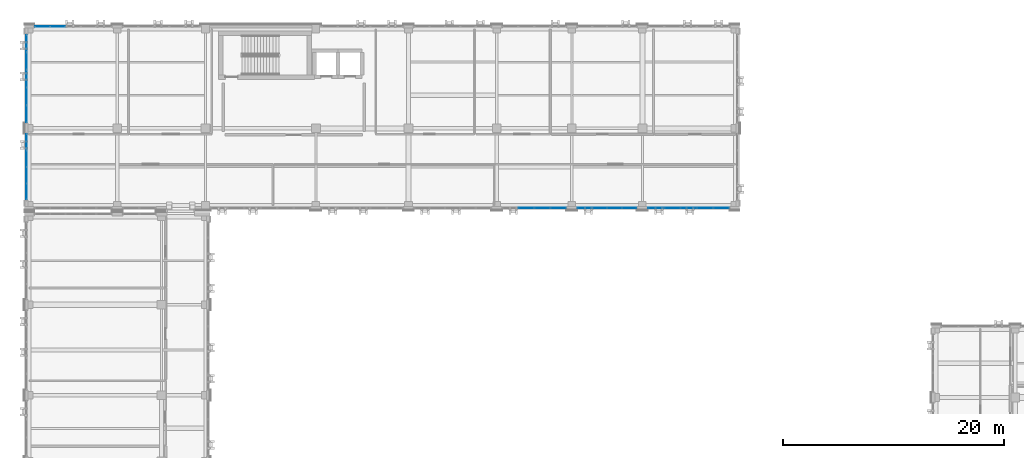
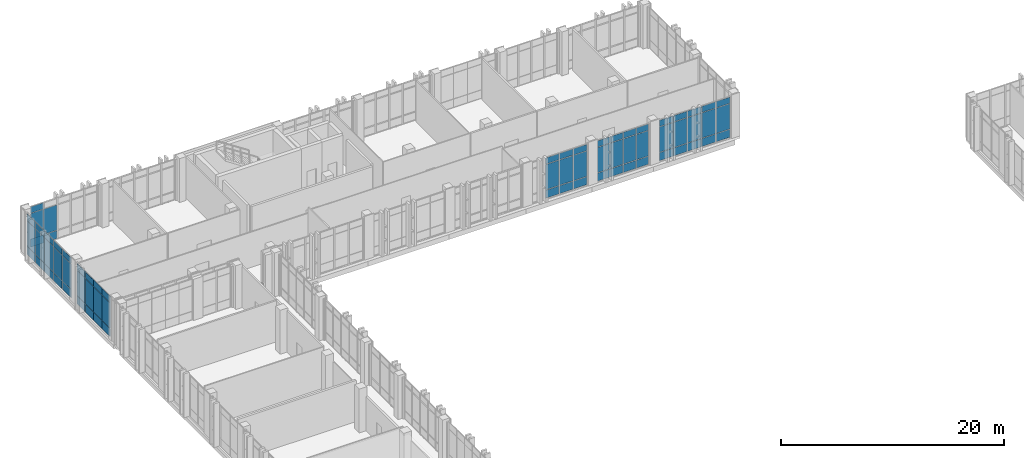
# One storey, part 143 of 189: 68 plates, 6 elements without a shape of their own.
"""IFC4 building model written with IfcOpenShell, lengths in metres."""

from ifc_helpers import new_model, si_unit, direction, frame, origin, origin_2d, place, context, subcontext, project, spatial, rectangle, extrude, material, layer, layer_set, type_object, element, aggregate, save


model = new_model("IFC4")

# Units and contexts
model_context = context("Model", 3, precision=1e-05, world=origin(), true_north=direction((0.0, 1.0)))
body_context = subcontext(model_context, "Body", "Model", "MODEL_VIEW")
ifc_project = project(units=[si_unit("LENGTHUNIT", "METRE"), si_unit("AREAUNIT", "SQUARE_METRE"), si_unit("VOLUMEUNIT", "CUBIC_METRE"), si_unit("PLANEANGLEUNIT", "RADIAN"), si_unit("MASSUNIT", "GRAM", prefix="KILO")], contexts=[model_context])

# Site, building, storey
site_placement = place(None, origin())
site = spatial("IfcSite", under=ifc_project, at=site_placement, CompositionType="ELEMENT")
building_placement = place(site_placement, origin())
building = spatial("IfcBuilding", under=site, at=building_placement, Name="Qalavern Law Courts", CompositionType="ELEMENT")
storey_placement = place(building_placement, frame((0.0, 0.0, 5.39990234375)))
storey = spatial("IfcBuildingStorey", under=building, at=storey_placement, Name="L01", CompositionType="ELEMENT", Elevation=5.39990234375)

# Curtain wall, plates
ifc_material_1 = material(Name="Anodised aluminium and insulated glazing", Category="aluminium")
ifc_layer_1 = layer(ifc_material_1, 0.166015625)
ifc_layer_set_1 = layer_set([ifc_layer_1], Name="Anodised aluminium and insulated glazing")
curtain_wall_type = type_object("IfcCurtainWallType", Name="ENV-CW-LIB", PredefinedType="USERDEFINED", material=ifc_layer_set_1)
curtain_wall_1_placement = place(storey_placement, origin())
curtain_wall_1 = element("IfcCurtainWall", 1, at=curtain_wall_1_placement, inside=storey, type_object=curtain_wall_type, Name="V5 unitised curtain wall L01 south 4", ObjectType="UNITISED CURTAIN WALL", PredefinedType="USERDEFINED")
ifc_material_2 = material(Name="Insulated low-E acoustic glazing", Category="glass")
ifc_layer_2 = layer(ifc_material_2, 0.028076171875)
ifc_layer_set_2 = layer_set([ifc_layer_2], Name="Insulated low-E acoustic glazing")
plate_type_1 = type_object("IfcPlateType", Name="ENV-CWP-28", PredefinedType="CURTAIN_PANEL", material=ifc_layer_set_2)
plate_1_placement = place(storey_placement, frame((47.47509765625, 96.362548828125, 0.048095703125), z_axis=(0.0, 0.0, 1.0), x_axis=(1.0, 0.0, 0.0)))
plate_1 = element("IfcPlate", 2, at=plate_1_placement, type_object=plate_type_1, Name="CW-05 panel 2.1", PredefinedType="CURTAIN_PANEL", context=body_context, shape_type="SweptSolid", body=[
    extrude(rectangle(XDim=1.402099609375, YDim=0.028076171875, at=origin_2d()), origin(), (0.0, 0.0, 1.0), 0.8779296875),
])
plate_2_placement = place(storey_placement, frame((47.47509765625, 96.362548828125, 0.97412109375), z_axis=(0.0, 0.0, 1.0), x_axis=(1.0, 0.0, 0.0)))
plate_2 = element("IfcPlate", 3, at=plate_2_placement, type_object=plate_type_1, Name="CW-05 panel 2.2", PredefinedType="CURTAIN_PANEL", context=body_context, shape_type="SweptSolid", body=[
    extrude(rectangle(XDim=1.402099609375, YDim=0.028076171875, at=origin_2d()), origin(), (0.0, 0.0, 1.0), 2.761962890625),
])
plate_3_placement = place(storey_placement, frame((47.47509765625, 96.362548828125, 3.7841796875), z_axis=(0.0, 0.0, 1.0), x_axis=(1.0, 0.0, 0.0)))
plate_3 = element("IfcPlate", 4, at=plate_3_placement, type_object=plate_type_1, Name="CW-05 panel 2.3", PredefinedType="CURTAIN_PANEL", context=body_context, shape_type="SweptSolid", body=[
    extrude(rectangle(XDim=1.402099609375, YDim=0.028076171875, at=origin_2d()), origin(), (0.0, 0.0, 1.0), 0.677978515625),
])
plate_4_placement = place(storey_placement, frame((48.925048828125, 96.362548828125, 0.048095703125), z_axis=(0.0, 0.0, 1.0), x_axis=(1.0, 0.0, 0.0)))
plate_4 = element("IfcPlate", 5, at=plate_4_placement, type_object=plate_type_1, Name="CW-05 panel 3.1", PredefinedType="CURTAIN_PANEL", context=body_context, shape_type="SweptSolid", body=[
    extrude(rectangle(XDim=1.402099609375, YDim=0.028076171875, at=origin_2d()), origin(), (0.0, 0.0, 1.0), 0.8779296875),
])
plate_5_placement = place(storey_placement, frame((48.925048828125, 96.362548828125, 0.97412109375), z_axis=(0.0, 0.0, 1.0), x_axis=(1.0, 0.0, 0.0)))
plate_5 = element("IfcPlate", 6, at=plate_5_placement, type_object=plate_type_1, Name="CW-05 panel 3.2", PredefinedType="CURTAIN_PANEL", context=body_context, shape_type="SweptSolid", body=[
    extrude(rectangle(XDim=1.402099609375, YDim=0.028076171875, at=origin_2d()), origin(), (0.0, 0.0, 1.0), 2.761962890625),
])
plate_6_placement = place(storey_placement, frame((48.925048828125, 96.362548828125, 3.7841796875), z_axis=(0.0, 0.0, 1.0), x_axis=(1.0, 0.0, 0.0)))
plate_6 = element("IfcPlate", 7, at=plate_6_placement, type_object=plate_type_1, Name="CW-05 panel 3.3", PredefinedType="CURTAIN_PANEL", context=body_context, shape_type="SweptSolid", body=[
    extrude(rectangle(XDim=1.402099609375, YDim=0.028076171875, at=origin_2d()), origin(), (0.0, 0.0, 1.0), 0.677978515625),
])
plate_7_placement = place(storey_placement, frame((50.363037109375, 96.362548828125, 0.048095703125), z_axis=(0.0, 0.0, 1.0), x_axis=(1.0, 0.0, 0.0)))
plate_7 = element("IfcPlate", 8, at=plate_7_placement, type_object=plate_type_1, Name="CW-05 panel 4.1", PredefinedType="CURTAIN_PANEL", context=body_context, shape_type="SweptSolid", body=[
    extrude(rectangle(XDim=1.3779296875, YDim=0.028076171875, at=origin_2d()), origin(), (0.0, 0.0, 1.0), 0.8779296875),
])
plate_8_placement = place(storey_placement, frame((50.363037109375, 96.362548828125, 0.97412109375), z_axis=(0.0, 0.0, 1.0), x_axis=(1.0, 0.0, 0.0)))
plate_8 = element("IfcPlate", 9, at=plate_8_placement, type_object=plate_type_1, Name="CW-05 panel 4.2", PredefinedType="CURTAIN_PANEL", context=body_context, shape_type="SweptSolid", body=[
    extrude(rectangle(XDim=1.3779296875, YDim=0.028076171875, at=origin_2d()), origin(), (0.0, 0.0, 1.0), 2.761962890625),
])
plate_9_placement = place(storey_placement, frame((50.363037109375, 96.362548828125, 3.7841796875), z_axis=(0.0, 0.0, 1.0), x_axis=(1.0, 0.0, 0.0)))
plate_9 = element("IfcPlate", 10, at=plate_9_placement, type_object=plate_type_1, Name="CW-05 panel 4.3", PredefinedType="CURTAIN_PANEL", context=body_context, shape_type="SweptSolid", body=[
    extrude(rectangle(XDim=1.3779296875, YDim=0.028076171875, at=origin_2d()), origin(), (0.0, 0.0, 1.0), 0.677978515625),
])
aggregate(curtain_wall_1, [plate_1, plate_2, plate_3, plate_4, plate_5, plate_6, plate_7, plate_8, plate_9])

curtain_wall_2_placement = place(storey_placement, origin())
curtain_wall_2 = element("IfcCurtainWall", 11, at=curtain_wall_2_placement, inside=storey, type_object=curtain_wall_type, Name="V5 unitised curtain wall L01 south 5", ObjectType="UNITISED CURTAIN WALL", PredefinedType="USERDEFINED")
ifc_layer_3 = layer(ifc_material_2, 0.031982421875)
ifc_layer_set_3 = layer_set([ifc_layer_3], Name="Insulated low-E acoustic glazing")
plate_type_2 = type_object("IfcPlateType", Name="ENV-CWP-32", PredefinedType="CURTAIN_PANEL", material=ifc_layer_set_3)
plate_10_placement = place(storey_placement, frame((52.787109375, 96.362548828125, 0.048095703125), z_axis=(0.0, 0.0, 1.0), x_axis=(1.0, 0.0, 0.0)))
plate_10 = element("IfcPlate", 12, at=plate_10_placement, type_object=plate_type_2, Name="CW-05 panel 1.1", PredefinedType="CURTAIN_PANEL", context=body_context, shape_type="SweptSolid", body=[
    extrude(rectangle(XDim=1.278076171875, YDim=0.031982421875, at=origin_2d()), origin(), (0.0, 0.0, 1.0), 0.8779296875),
])
plate_11_placement = place(storey_placement, frame((52.787109375, 96.362548828125, 0.97412109375), z_axis=(0.0, 0.0, 1.0), x_axis=(1.0, 0.0, 0.0)))
plate_11 = element("IfcPlate", 13, at=plate_11_placement, type_object=plate_type_2, Name="CW-05 panel 1.2", PredefinedType="CURTAIN_PANEL", context=body_context, shape_type="SweptSolid", body=[
    extrude(rectangle(XDim=1.278076171875, YDim=0.031982421875, at=origin_2d()), origin(), (0.0, 0.0, 1.0), 2.761962890625),
])
plate_12_placement = place(storey_placement, frame((52.787109375, 96.362548828125, 3.7841796875), z_axis=(0.0, 0.0, 1.0), x_axis=(1.0, 0.0, 0.0)))
plate_12 = element("IfcPlate", 14, at=plate_12_placement, type_object=plate_type_2, Name="CW-05 panel 1.3", PredefinedType="CURTAIN_PANEL", context=body_context, shape_type="SweptSolid", body=[
    extrude(rectangle(XDim=1.278076171875, YDim=0.031982421875, at=origin_2d()), origin(), (0.0, 0.0, 1.0), 0.677978515625),
])
plate_13_placement = place(storey_placement, frame((54.125, 96.362548828125, 0.048095703125), z_axis=(0.0, 0.0, 1.0), x_axis=(1.0, 0.0, 0.0)))
plate_13 = element("IfcPlate", 15, at=plate_13_placement, type_object=plate_type_2, Name="CW-05 panel 2.1", PredefinedType="CURTAIN_PANEL", context=body_context, shape_type="SweptSolid", body=[
    extrude(rectangle(XDim=1.302001953125, YDim=0.031982421875, at=origin_2d()), origin(), (0.0, 0.0, 1.0), 0.8779296875),
])
plate_14_placement = place(storey_placement, frame((54.125, 96.362548828125, 0.97412109375), z_axis=(0.0, 0.0, 1.0), x_axis=(1.0, 0.0, 0.0)))
plate_14 = element("IfcPlate", 16, at=plate_14_placement, type_object=plate_type_2, Name="CW-05 panel 2.2", PredefinedType="CURTAIN_PANEL", context=body_context, shape_type="SweptSolid", body=[
    extrude(rectangle(XDim=1.302001953125, YDim=0.031982421875, at=origin_2d()), origin(), (0.0, 0.0, 1.0), 2.761962890625),
])
plate_15_placement = place(storey_placement, frame((54.125, 96.362548828125, 3.7841796875), z_axis=(0.0, 0.0, 1.0), x_axis=(1.0, 0.0, 0.0)))
plate_15 = element("IfcPlate", 17, at=plate_15_placement, type_object=plate_type_2, Name="CW-05 panel 2.3", PredefinedType="CURTAIN_PANEL", context=body_context, shape_type="SweptSolid", body=[
    extrude(rectangle(XDim=1.302001953125, YDim=0.031982421875, at=origin_2d()), origin(), (0.0, 0.0, 1.0), 0.677978515625),
])
plate_16_placement = place(storey_placement, frame((55.47509765625, 96.362548828125, 0.048095703125), z_axis=(0.0, 0.0, 1.0), x_axis=(1.0, 0.0, 0.0)))
plate_16 = element("IfcPlate", 18, at=plate_16_placement, type_object=plate_type_2, Name="CW-05 panel 3.1", PredefinedType="CURTAIN_PANEL", context=body_context, shape_type="SweptSolid", body=[
    extrude(rectangle(XDim=1.302001953125, YDim=0.031982421875, at=origin_2d()), origin(), (0.0, 0.0, 1.0), 0.8779296875),
])
plate_17_placement = place(storey_placement, frame((55.47509765625, 96.362548828125, 0.97412109375), z_axis=(0.0, 0.0, 1.0), x_axis=(1.0, 0.0, 0.0)))
plate_17 = element("IfcPlate", 19, at=plate_17_placement, type_object=plate_type_2, Name="CW-05 panel 3.2", PredefinedType="CURTAIN_PANEL", context=body_context, shape_type="SweptSolid", body=[
    extrude(rectangle(XDim=1.302001953125, YDim=0.031982421875, at=origin_2d()), origin(), (0.0, 0.0, 1.0), 2.761962890625),
])
plate_18_placement = place(storey_placement, frame((55.47509765625, 96.362548828125, 3.7841796875), z_axis=(0.0, 0.0, 1.0), x_axis=(1.0, 0.0, 0.0)))
plate_18 = element("IfcPlate", 20, at=plate_18_placement, type_object=plate_type_2, Name="CW-05 panel 3.3", PredefinedType="CURTAIN_PANEL", context=body_context, shape_type="SweptSolid", body=[
    extrude(rectangle(XDim=1.302001953125, YDim=0.031982421875, at=origin_2d()), origin(), (0.0, 0.0, 1.0), 0.677978515625),
])
plate_19_placement = place(storey_placement, frame((56.81298828125, 96.362548828125, 0.048095703125), z_axis=(0.0, 0.0, 1.0), x_axis=(1.0, 0.0, 0.0)))
plate_19 = element("IfcPlate", 21, at=plate_19_placement, type_object=plate_type_2, Name="CW-05 panel 4.1", PredefinedType="CURTAIN_PANEL", context=body_context, shape_type="SweptSolid", body=[
    extrude(rectangle(XDim=1.278076171875, YDim=0.031982421875, at=origin_2d()), origin(), (0.0, 0.0, 1.0), 0.8779296875),
])
plate_20_placement = place(storey_placement, frame((56.81298828125, 96.362548828125, 0.97412109375), z_axis=(0.0, 0.0, 1.0), x_axis=(1.0, 0.0, 0.0)))
plate_20 = element("IfcPlate", 22, at=plate_20_placement, type_object=plate_type_2, Name="CW-05 panel 4.2", PredefinedType="CURTAIN_PANEL", context=body_context, shape_type="SweptSolid", body=[
    extrude(rectangle(XDim=1.278076171875, YDim=0.031982421875, at=origin_2d()), origin(), (0.0, 0.0, 1.0), 2.761962890625),
])
plate_21_placement = place(storey_placement, frame((56.81298828125, 96.362548828125, 3.7841796875), z_axis=(0.0, 0.0, 1.0), x_axis=(1.0, 0.0, 0.0)))
plate_21 = element("IfcPlate", 23, at=plate_21_placement, type_object=plate_type_2, Name="CW-05 panel 4.3", PredefinedType="CURTAIN_PANEL", context=body_context, shape_type="SweptSolid", body=[
    extrude(rectangle(XDim=1.278076171875, YDim=0.031982421875, at=origin_2d()), origin(), (0.0, 0.0, 1.0), 0.677978515625),
])
aggregate(curtain_wall_2, [plate_10, plate_11, plate_12, plate_13, plate_14, plate_15, plate_16, plate_17, plate_18, plate_19, plate_20, plate_21])

curtain_wall_3_placement = place(storey_placement, origin())
curtain_wall_3 = element("IfcCurtainWall", 24, at=curtain_wall_3_placement, inside=storey, type_object=curtain_wall_type, Name="V5 unitised curtain wall L01 south 6", ObjectType="UNITISED CURTAIN WALL", PredefinedType="USERDEFINED")
ifc_layer_4 = layer(ifc_material_2, 0.035888671875)
ifc_layer_set_4 = layer_set([ifc_layer_4], Name="Insulated low-E acoustic glazing")
plate_type_3 = type_object("IfcPlateType", Name="ENV-CWP-36", PredefinedType="CURTAIN_PANEL", material=ifc_layer_set_4)
plate_22_placement = place(storey_placement, frame((59.251953125, 96.362548828125, 0.048095703125), z_axis=(0.0, 0.0, 1.0), x_axis=(1.0, 0.0, 0.0)))
plate_22 = element("IfcPlate", 25, at=plate_22_placement, type_object=plate_type_3, Name="CW-05 panel 1.1", PredefinedType="CURTAIN_PANEL", context=body_context, shape_type="SweptSolid", body=[
    extrude(rectangle(XDim=1.407958984375, YDim=0.035888671875, at=origin_2d()), origin(), (0.0, 0.0, 1.0), 0.8779296875),
])
plate_23_placement = place(storey_placement, frame((59.251953125, 96.362548828125, 0.97412109375), z_axis=(0.0, 0.0, 1.0), x_axis=(1.0, 0.0, 0.0)))
plate_23 = element("IfcPlate", 26, at=plate_23_placement, type_object=plate_type_3, Name="CW-05 panel 1.2", PredefinedType="CURTAIN_PANEL", context=body_context, shape_type="SweptSolid", body=[
    extrude(rectangle(XDim=1.407958984375, YDim=0.035888671875, at=origin_2d()), origin(), (0.0, 0.0, 1.0), 2.761962890625),
])
plate_24_placement = place(storey_placement, frame((59.251953125, 96.362548828125, 3.7841796875), z_axis=(0.0, 0.0, 1.0), x_axis=(1.0, 0.0, 0.0)))
plate_24 = element("IfcPlate", 27, at=plate_24_placement, type_object=plate_type_3, Name="CW-05 panel 1.3", PredefinedType="CURTAIN_PANEL", context=body_context, shape_type="SweptSolid", body=[
    extrude(rectangle(XDim=1.407958984375, YDim=0.035888671875, at=origin_2d()), origin(), (0.0, 0.0, 1.0), 0.677978515625),
])
plate_25_placement = place(storey_placement, frame((60.719970703125, 96.362548828125, 0.048095703125), z_axis=(0.0, 0.0, 1.0), x_axis=(1.0, 0.0, 0.0)))
plate_25 = element("IfcPlate", 28, at=plate_25_placement, type_object=plate_type_3, Name="CW-05 panel 2.1", PredefinedType="CURTAIN_PANEL", context=body_context, shape_type="SweptSolid", body=[
    extrude(rectangle(XDim=1.431884765625, YDim=0.035888671875, at=origin_2d()), origin(), (0.0, 0.0, 1.0), 0.8779296875),
])
plate_26_placement = place(storey_placement, frame((60.719970703125, 96.362548828125, 0.97412109375), z_axis=(0.0, 0.0, 1.0), x_axis=(1.0, 0.0, 0.0)))
plate_26 = element("IfcPlate", 29, at=plate_26_placement, type_object=plate_type_3, Name="CW-05 panel 2.2", PredefinedType="CURTAIN_PANEL", context=body_context, shape_type="SweptSolid", body=[
    extrude(rectangle(XDim=1.431884765625, YDim=0.035888671875, at=origin_2d()), origin(), (0.0, 0.0, 1.0), 2.761962890625),
])
plate_27_placement = place(storey_placement, frame((60.719970703125, 96.362548828125, 3.7841796875), z_axis=(0.0, 0.0, 1.0), x_axis=(1.0, 0.0, 0.0)))
plate_27 = element("IfcPlate", 30, at=plate_27_placement, type_object=plate_type_3, Name="CW-05 panel 2.3", PredefinedType="CURTAIN_PANEL", context=body_context, shape_type="SweptSolid", body=[
    extrude(rectangle(XDim=1.431884765625, YDim=0.035888671875, at=origin_2d()), origin(), (0.0, 0.0, 1.0), 0.677978515625),
])
plate_28_placement = place(storey_placement, frame((62.199951171875, 96.362548828125, 0.048095703125), z_axis=(0.0, 0.0, 1.0), x_axis=(1.0, 0.0, 0.0)))
plate_28 = element("IfcPlate", 31, at=plate_28_placement, type_object=plate_type_3, Name="CW-05 panel 3.1", PredefinedType="CURTAIN_PANEL", context=body_context, shape_type="SweptSolid", body=[
    extrude(rectangle(XDim=1.431884765625, YDim=0.035888671875, at=origin_2d()), origin(), (0.0, 0.0, 1.0), 0.8779296875),
])
plate_29_placement = place(storey_placement, frame((62.199951171875, 96.362548828125, 0.97412109375), z_axis=(0.0, 0.0, 1.0), x_axis=(1.0, 0.0, 0.0)))
plate_29 = element("IfcPlate", 32, at=plate_29_placement, type_object=plate_type_3, Name="CW-05 panel 3.2", PredefinedType="CURTAIN_PANEL", context=body_context, shape_type="SweptSolid", body=[
    extrude(rectangle(XDim=1.431884765625, YDim=0.035888671875, at=origin_2d()), origin(), (0.0, 0.0, 1.0), 2.761962890625),
])
plate_30_placement = place(storey_placement, frame((62.199951171875, 96.362548828125, 3.7841796875), z_axis=(0.0, 0.0, 1.0), x_axis=(1.0, 0.0, 0.0)))
plate_30 = element("IfcPlate", 33, at=plate_30_placement, type_object=plate_type_3, Name="CW-05 panel 3.3", PredefinedType="CURTAIN_PANEL", context=body_context, shape_type="SweptSolid", body=[
    extrude(rectangle(XDim=1.431884765625, YDim=0.035888671875, at=origin_2d()), origin(), (0.0, 0.0, 1.0), 0.677978515625),
])
plate_31_placement = place(storey_placement, frame((63.679931640625, 96.362548828125, 0.048095703125), z_axis=(0.0, 0.0, 1.0), x_axis=(1.0, 0.0, 0.0)))
plate_31 = element("IfcPlate", 34, at=plate_31_placement, type_object=plate_type_3, Name="CW-05 panel 4.1", PredefinedType="CURTAIN_PANEL", context=body_context, shape_type="SweptSolid", body=[
    extrude(rectangle(XDim=1.431884765625, YDim=0.035888671875, at=origin_2d()), origin(), (0.0, 0.0, 1.0), 0.8779296875),
])
plate_32_placement = place(storey_placement, frame((63.679931640625, 96.362548828125, 0.97412109375), z_axis=(0.0, 0.0, 1.0), x_axis=(1.0, 0.0, 0.0)))
plate_32 = element("IfcPlate", 35, at=plate_32_placement, type_object=plate_type_3, Name="CW-05 panel 4.2", PredefinedType="CURTAIN_PANEL", context=body_context, shape_type="SweptSolid", body=[
    extrude(rectangle(XDim=1.431884765625, YDim=0.035888671875, at=origin_2d()), origin(), (0.0, 0.0, 1.0), 2.761962890625),
])
plate_33_placement = place(storey_placement, frame((63.679931640625, 96.362548828125, 3.7841796875), z_axis=(0.0, 0.0, 1.0), x_axis=(1.0, 0.0, 0.0)))
plate_33 = element("IfcPlate", 36, at=plate_33_placement, type_object=plate_type_3, Name="CW-05 panel 4.3", PredefinedType="CURTAIN_PANEL", context=body_context, shape_type="SweptSolid", body=[
    extrude(rectangle(XDim=1.431884765625, YDim=0.035888671875, at=origin_2d()), origin(), (0.0, 0.0, 1.0), 0.677978515625),
])
plate_34_placement = place(storey_placement, frame((65.14794921875, 96.362548828125, 0.048095703125), z_axis=(0.0, 0.0, 1.0), x_axis=(1.0, 0.0, 0.0)))
plate_34 = element("IfcPlate", 37, at=plate_34_placement, type_object=plate_type_3, Name="CW-05 panel 5.1", PredefinedType="CURTAIN_PANEL", context=body_context, shape_type="SweptSolid", body=[
    extrude(rectangle(XDim=1.407958984375, YDim=0.035888671875, at=origin_2d()), origin(), (0.0, 0.0, 1.0), 0.8779296875),
])
plate_35_placement = place(storey_placement, frame((65.14794921875, 96.362548828125, 0.97412109375), z_axis=(0.0, 0.0, 1.0), x_axis=(1.0, 0.0, 0.0)))
plate_35 = element("IfcPlate", 38, at=plate_35_placement, type_object=plate_type_3, Name="CW-05 panel 5.2", PredefinedType="CURTAIN_PANEL", context=body_context, shape_type="SweptSolid", body=[
    extrude(rectangle(XDim=1.407958984375, YDim=0.035888671875, at=origin_2d()), origin(), (0.0, 0.0, 1.0), 2.761962890625),
])
plate_36_placement = place(storey_placement, frame((65.14794921875, 96.362548828125, 3.7841796875), z_axis=(0.0, 0.0, 1.0), x_axis=(1.0, 0.0, 0.0)))
plate_36 = element("IfcPlate", 39, at=plate_36_placement, type_object=plate_type_3, Name="CW-05 panel 5.3", PredefinedType="CURTAIN_PANEL", context=body_context, shape_type="SweptSolid", body=[
    extrude(rectangle(XDim=1.407958984375, YDim=0.035888671875, at=origin_2d()), origin(), (0.0, 0.0, 1.0), 0.677978515625),
])
aggregate(curtain_wall_3, [plate_22, plate_23, plate_24, plate_25, plate_26, plate_27, plate_28, plate_29, plate_30, plate_31, plate_32, plate_33, plate_34, plate_35, plate_36])

curtain_wall_4_placement = place(storey_placement, origin())
curtain_wall_4 = element("IfcCurtainWall", 40, at=curtain_wall_4_placement, inside=storey, type_object=curtain_wall_type, Name="V5 unitised curtain wall L01 north 7", ObjectType="UNITISED CURTAIN WALL", PredefinedType="USERDEFINED")
plate_37_placement = place(storey_placement, frame((5.0, 112.83740234375, 0.048095703125), z_axis=(0.0, 0.0, 1.0), x_axis=(-1.0, 0.0, 0.0)))
plate_37 = element("IfcPlate", 41, at=plate_37_placement, type_object=plate_type_3, Name="CW-05 panel 4.1", PredefinedType="CURTAIN_PANEL", context=body_context, shape_type="SweptSolid", body=[
    extrude(rectangle(XDim=1.35205078125, YDim=0.035888671875, at=origin_2d()), origin(), (0.0, 0.0, 1.0), 0.8779296875),
])
plate_38_placement = place(storey_placement, frame((5.0, 112.83740234375, 0.97412109375), z_axis=(0.0, 0.0, 1.0), x_axis=(-1.0, 0.0, 0.0)))
plate_38 = element("IfcPlate", 42, at=plate_38_placement, type_object=plate_type_3, Name="CW-05 panel 4.2", PredefinedType="CURTAIN_PANEL", context=body_context, shape_type="SweptSolid", body=[
    extrude(rectangle(XDim=1.35205078125, YDim=0.035888671875, at=origin_2d()), origin(), (0.0, 0.0, 1.0), 2.761962890625),
])
plate_39_placement = place(storey_placement, frame((3.612060546875, 112.83740234375, 0.048095703125), z_axis=(0.0, 0.0, 1.0), x_axis=(-1.0, 0.0, 0.0)))
plate_39 = element("IfcPlate", 43, at=plate_39_placement, type_object=plate_type_3, Name="CW-05 panel 5.1", PredefinedType="CURTAIN_PANEL", context=body_context, shape_type="SweptSolid", body=[
    extrude(rectangle(XDim=1.327880859375, YDim=0.035888671875, at=origin_2d()), origin(), (0.0, 0.0, 1.0), 0.8779296875),
])
plate_40_placement = place(storey_placement, frame((3.612060546875, 112.83740234375, 0.97412109375), z_axis=(0.0, 0.0, 1.0), x_axis=(-1.0, 0.0, 0.0)))
plate_40 = element("IfcPlate", 44, at=plate_40_placement, type_object=plate_type_3, Name="CW-05 panel 5.2", PredefinedType="CURTAIN_PANEL", context=body_context, shape_type="SweptSolid", body=[
    extrude(rectangle(XDim=1.327880859375, YDim=0.035888671875, at=origin_2d()), origin(), (0.0, 0.0, 1.0), 2.761962890625),
])
plate_41_placement = place(storey_placement, frame((3.612060546875, 112.83740234375, 3.7841796875), z_axis=(0.0, 0.0, 1.0), x_axis=(-1.0, 0.0, 0.0)))
plate_41 = element("IfcPlate", 45, at=plate_41_placement, type_object=plate_type_3, Name="CW-05 panel 5.3", PredefinedType="CURTAIN_PANEL", context=body_context, shape_type="SweptSolid", body=[
    extrude(rectangle(XDim=1.327880859375, YDim=0.035888671875, at=origin_2d()), origin(), (0.0, 0.0, 1.0), 0.677978515625),
])
aggregate(curtain_wall_4, [plate_37, plate_38, plate_39, plate_40, plate_41])

curtain_wall_5_placement = place(storey_placement, origin())
curtain_wall_5 = element("IfcCurtainWall", 46, at=curtain_wall_5_placement, inside=storey, type_object=curtain_wall_type, Name="V5 unitised curtain wall L01 west 1", ObjectType="UNITISED CURTAIN WALL", PredefinedType="USERDEFINED")
ifc_layer_5 = layer(ifc_material_2, 0.0439453125)
ifc_layer_set_5 = layer_set([ifc_layer_5], Name="Insulated low-E acoustic glazing")
plate_type_4 = type_object("IfcPlateType", Name="ENV-CWP-44", PredefinedType="CURTAIN_PANEL", material=ifc_layer_set_5)
plate_42_placement = place(storey_placement, frame((2.16259765625, 111.2880859375, 0.048095703125), z_axis=(0.0, 0.0, 1.0), x_axis=(0.0, -1.0, 0.0)))
plate_42 = element("IfcPlate", 47, at=plate_42_placement, type_object=plate_type_4, Name="CW-05 panel 1.1", PredefinedType="CURTAIN_PANEL", context=body_context, shape_type="SweptSolid", body=[
    extrude(rectangle(XDim=1.528076171875, YDim=0.0439453125, at=origin_2d()), origin(), (0.0, 0.0, 1.0), 0.8779296875),
])
plate_43_placement = place(storey_placement, frame((2.16259765625, 111.2880859375, 0.97412109375), z_axis=(0.0, 0.0, 1.0), x_axis=(0.0, -1.0, 0.0)))
plate_43 = element("IfcPlate", 48, at=plate_43_placement, type_object=plate_type_4, Name="CW-05 panel 1.2", PredefinedType="CURTAIN_PANEL", context=body_context, shape_type="SweptSolid", body=[
    extrude(rectangle(XDim=1.528076171875, YDim=0.0439453125, at=origin_2d()), origin(), (0.0, 0.0, 1.0), 2.761962890625),
])
plate_44_placement = place(storey_placement, frame((2.16259765625, 111.2880859375, 3.7841796875), z_axis=(0.0, 0.0, 1.0), x_axis=(0.0, -1.0, 0.0)))
plate_44 = element("IfcPlate", 49, at=plate_44_placement, type_object=plate_type_4, Name="CW-05 panel 1.3", PredefinedType="CURTAIN_PANEL", context=body_context, shape_type="SweptSolid", body=[
    extrude(rectangle(XDim=1.528076171875, YDim=0.0439453125, at=origin_2d()), origin(), (0.0, 0.0, 1.0), 0.677978515625),
])
plate_45_placement = place(storey_placement, frame((2.16259765625, 109.699951171875, 0.048095703125), z_axis=(0.0, 0.0, 1.0), x_axis=(0.0, -1.0, 0.0)))
plate_45 = element("IfcPlate", 50, at=plate_45_placement, type_object=plate_type_4, Name="CW-05 panel 2.1", PredefinedType="CURTAIN_PANEL", context=body_context, shape_type="SweptSolid", body=[
    extrude(rectangle(XDim=1.552001953125, YDim=0.0439453125, at=origin_2d()), origin(), (0.0, 0.0, 1.0), 0.8779296875),
])
plate_46_placement = place(storey_placement, frame((2.16259765625, 109.699951171875, 0.97412109375), z_axis=(0.0, 0.0, 1.0), x_axis=(0.0, -1.0, 0.0)))
plate_46 = element("IfcPlate", 51, at=plate_46_placement, type_object=plate_type_4, Name="CW-05 panel 2.2", PredefinedType="CURTAIN_PANEL", context=body_context, shape_type="SweptSolid", body=[
    extrude(rectangle(XDim=1.552001953125, YDim=0.0439453125, at=origin_2d()), origin(), (0.0, 0.0, 1.0), 2.761962890625),
])
plate_47_placement = place(storey_placement, frame((2.16259765625, 109.699951171875, 3.7841796875), z_axis=(0.0, 0.0, 1.0), x_axis=(0.0, -1.0, 0.0)))
plate_47 = element("IfcPlate", 52, at=plate_47_placement, type_object=plate_type_4, Name="CW-05 panel 2.3", PredefinedType="CURTAIN_PANEL", context=body_context, shape_type="SweptSolid", body=[
    extrude(rectangle(XDim=1.552001953125, YDim=0.0439453125, at=origin_2d()), origin(), (0.0, 0.0, 1.0), 0.677978515625),
])
plate_48_placement = place(storey_placement, frame((2.16259765625, 108.10009765625, 0.048095703125), z_axis=(0.0, 0.0, 1.0), x_axis=(0.0, -1.0, 0.0)))
plate_48 = element("IfcPlate", 53, at=plate_48_placement, type_object=plate_type_4, Name="CW-05 panel 3.1", PredefinedType="CURTAIN_PANEL", context=body_context, shape_type="SweptSolid", body=[
    extrude(rectangle(XDim=1.552001953125, YDim=0.0439453125, at=origin_2d()), origin(), (0.0, 0.0, 1.0), 0.8779296875),
])
plate_49_placement = place(storey_placement, frame((2.16259765625, 108.10009765625, 0.97412109375), z_axis=(0.0, 0.0, 1.0), x_axis=(0.0, -1.0, 0.0)))
plate_49 = element("IfcPlate", 54, at=plate_49_placement, type_object=plate_type_4, Name="CW-05 panel 3.2", PredefinedType="CURTAIN_PANEL", context=body_context, shape_type="SweptSolid", body=[
    extrude(rectangle(XDim=1.552001953125, YDim=0.0439453125, at=origin_2d()), origin(), (0.0, 0.0, 1.0), 2.761962890625),
])
plate_50_placement = place(storey_placement, frame((2.16259765625, 108.10009765625, 3.7841796875), z_axis=(0.0, 0.0, 1.0), x_axis=(0.0, -1.0, 0.0)))
plate_50 = element("IfcPlate", 55, at=plate_50_placement, type_object=plate_type_4, Name="CW-05 panel 3.3", PredefinedType="CURTAIN_PANEL", context=body_context, shape_type="SweptSolid", body=[
    extrude(rectangle(XDim=1.552001953125, YDim=0.0439453125, at=origin_2d()), origin(), (0.0, 0.0, 1.0), 0.677978515625),
])
plate_51_placement = place(storey_placement, frame((2.16259765625, 106.5, 0.048095703125), z_axis=(0.0, 0.0, 1.0), x_axis=(0.0, -1.0, 0.0)))
plate_51 = element("IfcPlate", 56, at=plate_51_placement, type_object=plate_type_4, Name="CW-05 panel 4.1", PredefinedType="CURTAIN_PANEL", context=body_context, shape_type="SweptSolid", body=[
    extrude(rectangle(XDim=1.552001953125, YDim=0.0439453125, at=origin_2d()), origin(), (0.0, 0.0, 1.0), 0.8779296875),
])
plate_52_placement = place(storey_placement, frame((2.16259765625, 106.5, 0.97412109375), z_axis=(0.0, 0.0, 1.0), x_axis=(0.0, -1.0, 0.0)))
plate_52 = element("IfcPlate", 57, at=plate_52_placement, type_object=plate_type_4, Name="CW-05 panel 4.2", PredefinedType="CURTAIN_PANEL", context=body_context, shape_type="SweptSolid", body=[
    extrude(rectangle(XDim=1.552001953125, YDim=0.0439453125, at=origin_2d()), origin(), (0.0, 0.0, 1.0), 2.761962890625),
])
plate_53_placement = place(storey_placement, frame((2.16259765625, 106.5, 3.7841796875), z_axis=(0.0, 0.0, 1.0), x_axis=(0.0, -1.0, 0.0)))
plate_53 = element("IfcPlate", 58, at=plate_53_placement, type_object=plate_type_4, Name="CW-05 panel 4.3", PredefinedType="CURTAIN_PANEL", context=body_context, shape_type="SweptSolid", body=[
    extrude(rectangle(XDim=1.552001953125, YDim=0.0439453125, at=origin_2d()), origin(), (0.0, 0.0, 1.0), 0.677978515625),
])
plate_54_placement = place(storey_placement, frame((2.16259765625, 104.912109375, 0.048095703125), z_axis=(0.0, 0.0, 1.0), x_axis=(0.0, -1.0, 0.0)))
plate_54 = element("IfcPlate", 59, at=plate_54_placement, type_object=plate_type_4, Name="CW-05 panel 5.1", PredefinedType="CURTAIN_PANEL", context=body_context, shape_type="SweptSolid", body=[
    extrude(rectangle(XDim=1.528076171875, YDim=0.0439453125, at=origin_2d()), origin(), (0.0, 0.0, 1.0), 0.8779296875),
])
plate_55_placement = place(storey_placement, frame((2.16259765625, 104.912109375, 0.97412109375), z_axis=(0.0, 0.0, 1.0), x_axis=(0.0, -1.0, 0.0)))
plate_55 = element("IfcPlate", 60, at=plate_55_placement, type_object=plate_type_4, Name="CW-05 panel 5.2", PredefinedType="CURTAIN_PANEL", context=body_context, shape_type="SweptSolid", body=[
    extrude(rectangle(XDim=1.528076171875, YDim=0.0439453125, at=origin_2d()), origin(), (0.0, 0.0, 1.0), 2.761962890625),
])
plate_56_placement = place(storey_placement, frame((2.16259765625, 104.912109375, 3.7841796875), z_axis=(0.0, 0.0, 1.0), x_axis=(0.0, -1.0, 0.0)))
plate_56 = element("IfcPlate", 61, at=plate_56_placement, type_object=plate_type_4, Name="CW-05 panel 5.3", PredefinedType="CURTAIN_PANEL", context=body_context, shape_type="SweptSolid", body=[
    extrude(rectangle(XDim=1.528076171875, YDim=0.0439453125, at=origin_2d()), origin(), (0.0, 0.0, 1.0), 0.677978515625),
])
aggregate(curtain_wall_5, [plate_42, plate_43, plate_44, plate_45, plate_46, plate_47, plate_48, plate_49, plate_50, plate_51, plate_52, plate_53, plate_54, plate_55, plate_56])

curtain_wall_6_placement = place(storey_placement, origin())
curtain_wall_6 = element("IfcCurtainWall", 62, at=curtain_wall_6_placement, inside=storey, type_object=curtain_wall_type, Name="V5 unitised curtain wall L01 west 2", ObjectType="UNITISED CURTAIN WALL", PredefinedType="USERDEFINED")
ifc_layer_6 = layer(ifc_material_2, 0.048095703125)
ifc_layer_set_6 = layer_set([ifc_layer_6], Name="Insulated low-E acoustic glazing")
plate_type_5 = type_object("IfcPlateType", Name="ENV-CWP-48", PredefinedType="CURTAIN_PANEL", material=ifc_layer_set_6)
plate_57_placement = place(storey_placement, frame((2.16259765625, 102.337890625, 0.048095703125), z_axis=(0.0, 0.0, 1.0), x_axis=(0.0, -1.0, 0.0)))
plate_57 = element("IfcPlate", 63, at=plate_57_placement, type_object=plate_type_5, Name="CW-05 panel 1.1", PredefinedType="CURTAIN_PANEL", context=body_context, shape_type="SweptSolid", body=[
    extrude(rectangle(XDim=1.427978515625, YDim=0.048095703125, at=origin_2d()), origin(), (0.0, 0.0, 1.0), 0.8779296875),
])
plate_58_placement = place(storey_placement, frame((2.16259765625, 102.337890625, 0.97412109375), z_axis=(0.0, 0.0, 1.0), x_axis=(0.0, -1.0, 0.0)))
plate_58 = element("IfcPlate", 64, at=plate_58_placement, type_object=plate_type_5, Name="CW-05 panel 1.2", PredefinedType="CURTAIN_PANEL", context=body_context, shape_type="SweptSolid", body=[
    extrude(rectangle(XDim=1.427978515625, YDim=0.048095703125, at=origin_2d()), origin(), (0.0, 0.0, 1.0), 2.761962890625),
])
plate_59_placement = place(storey_placement, frame((2.16259765625, 102.337890625, 3.7841796875), z_axis=(0.0, 0.0, 1.0), x_axis=(0.0, -1.0, 0.0)))
plate_59 = element("IfcPlate", 65, at=plate_59_placement, type_object=plate_type_5, Name="CW-05 panel 1.3", PredefinedType="CURTAIN_PANEL", context=body_context, shape_type="SweptSolid", body=[
    extrude(rectangle(XDim=1.427978515625, YDim=0.048095703125, at=origin_2d()), origin(), (0.0, 0.0, 1.0), 0.677978515625),
])
plate_60_placement = place(storey_placement, frame((2.16259765625, 100.85009765625, 0.048095703125), z_axis=(0.0, 0.0, 1.0), x_axis=(0.0, -1.0, 0.0)))
plate_60 = element("IfcPlate", 66, at=plate_60_placement, type_object=plate_type_5, Name="CW-05 panel 2.1", PredefinedType="CURTAIN_PANEL", context=body_context, shape_type="SweptSolid", body=[
    extrude(rectangle(XDim=1.451904296875, YDim=0.048095703125, at=origin_2d()), origin(), (0.0, 0.0, 1.0), 0.8779296875),
])
plate_61_placement = place(storey_placement, frame((2.16259765625, 100.85009765625, 0.97412109375), z_axis=(0.0, 0.0, 1.0), x_axis=(0.0, -1.0, 0.0)))
plate_61 = element("IfcPlate", 67, at=plate_61_placement, type_object=plate_type_5, Name="CW-05 panel 2.2", PredefinedType="CURTAIN_PANEL", context=body_context, shape_type="SweptSolid", body=[
    extrude(rectangle(XDim=1.451904296875, YDim=0.048095703125, at=origin_2d()), origin(), (0.0, 0.0, 1.0), 2.761962890625),
])
plate_62_placement = place(storey_placement, frame((2.16259765625, 100.85009765625, 3.7841796875), z_axis=(0.0, 0.0, 1.0), x_axis=(0.0, -1.0, 0.0)))
plate_62 = element("IfcPlate", 68, at=plate_62_placement, type_object=plate_type_5, Name="CW-05 panel 2.3", PredefinedType="CURTAIN_PANEL", context=body_context, shape_type="SweptSolid", body=[
    extrude(rectangle(XDim=1.451904296875, YDim=0.048095703125, at=origin_2d()), origin(), (0.0, 0.0, 1.0), 0.677978515625),
])
plate_63_placement = place(storey_placement, frame((2.16259765625, 99.35009765625, 0.048095703125), z_axis=(0.0, 0.0, 1.0), x_axis=(0.0, -1.0, 0.0)))
plate_63 = element("IfcPlate", 69, at=plate_63_placement, type_object=plate_type_5, Name="CW-05 panel 3.1", PredefinedType="CURTAIN_PANEL", context=body_context, shape_type="SweptSolid", body=[
    extrude(rectangle(XDim=1.451904296875, YDim=0.048095703125, at=origin_2d()), origin(), (0.0, 0.0, 1.0), 0.8779296875),
])
plate_64_placement = place(storey_placement, frame((2.16259765625, 99.35009765625, 0.97412109375), z_axis=(0.0, 0.0, 1.0), x_axis=(0.0, -1.0, 0.0)))
plate_64 = element("IfcPlate", 70, at=plate_64_placement, type_object=plate_type_5, Name="CW-05 panel 3.2", PredefinedType="CURTAIN_PANEL", context=body_context, shape_type="SweptSolid", body=[
    extrude(rectangle(XDim=1.451904296875, YDim=0.048095703125, at=origin_2d()), origin(), (0.0, 0.0, 1.0), 2.761962890625),
])
plate_65_placement = place(storey_placement, frame((2.16259765625, 99.35009765625, 3.7841796875), z_axis=(0.0, 0.0, 1.0), x_axis=(0.0, -1.0, 0.0)))
plate_65 = element("IfcPlate", 71, at=plate_65_placement, type_object=plate_type_5, Name="CW-05 panel 3.3", PredefinedType="CURTAIN_PANEL", context=body_context, shape_type="SweptSolid", body=[
    extrude(rectangle(XDim=1.451904296875, YDim=0.048095703125, at=origin_2d()), origin(), (0.0, 0.0, 1.0), 0.677978515625),
])
plate_66_placement = place(storey_placement, frame((2.16259765625, 97.862060546875, 0.048095703125), z_axis=(0.0, 0.0, 1.0), x_axis=(0.0, -1.0, 0.0)))
plate_66 = element("IfcPlate", 72, at=plate_66_placement, type_object=plate_type_5, Name="CW-05 panel 4.1", PredefinedType="CURTAIN_PANEL", context=body_context, shape_type="SweptSolid", body=[
    extrude(rectangle(XDim=1.427978515625, YDim=0.048095703125, at=origin_2d()), origin(), (0.0, 0.0, 1.0), 0.8779296875),
])
plate_67_placement = place(storey_placement, frame((2.16259765625, 97.862060546875, 0.97412109375), z_axis=(0.0, 0.0, 1.0), x_axis=(0.0, -1.0, 0.0)))
plate_67 = element("IfcPlate", 73, at=plate_67_placement, type_object=plate_type_5, Name="CW-05 panel 4.2", PredefinedType="CURTAIN_PANEL", context=body_context, shape_type="SweptSolid", body=[
    extrude(rectangle(XDim=1.427978515625, YDim=0.048095703125, at=origin_2d()), origin(), (0.0, 0.0, 1.0), 2.761962890625),
])
plate_68_placement = place(storey_placement, frame((2.16259765625, 97.862060546875, 3.7841796875), z_axis=(0.0, 0.0, 1.0), x_axis=(0.0, -1.0, 0.0)))
plate_68 = element("IfcPlate", 74, at=plate_68_placement, type_object=plate_type_5, Name="CW-05 panel 4.3", PredefinedType="CURTAIN_PANEL", context=body_context, shape_type="SweptSolid", body=[
    extrude(rectangle(XDim=1.427978515625, YDim=0.048095703125, at=origin_2d()), origin(), (0.0, 0.0, 1.0), 0.677978515625),
])
aggregate(curtain_wall_6, [plate_57, plate_58, plate_59, plate_60, plate_61, plate_62, plate_63, plate_64, plate_65, plate_66, plate_67, plate_68])

save(model, "model.ifc")
